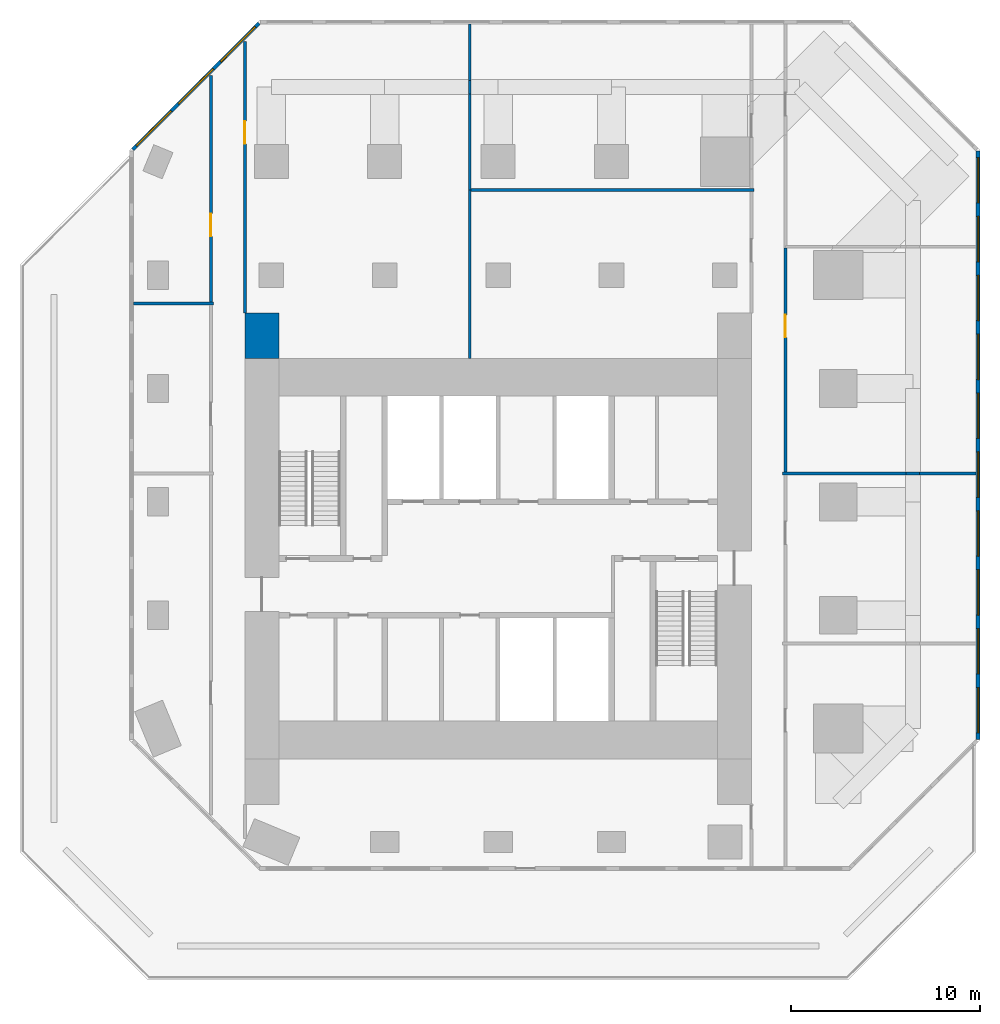
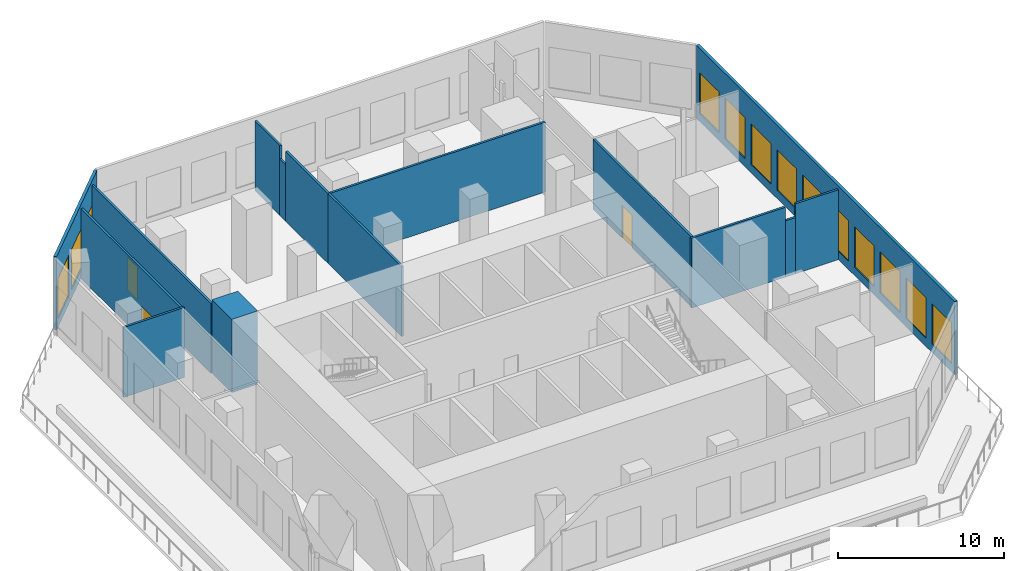
# One storey, part 4 of 7: 15 walls, 13 windows, 3 doors, 16 openings.
"""IFC4 building model written with IfcOpenShell, lengths in metres."""

from ifc_helpers import new_model, si_unit, direction, frame, frame_2d, origin, place, context, subcontext, project, spatial, rectangle, extrude, material, layer, layer_set, type_object, element, fill, save


model = new_model("IFC4")

# Units and contexts
model_context = context("Model", 3, precision=1e-05, world=origin(), true_north=direction((0.0, 1.0)))
body_context = subcontext(model_context, "Body", "Model", "MODEL_VIEW")
ifc_project = project(units=[si_unit("LENGTHUNIT", "METRE"), si_unit("AREAUNIT", "SQUARE_METRE"), si_unit("VOLUMEUNIT", "CUBIC_METRE"), si_unit("PLANEANGLEUNIT", "RADIAN"), si_unit("MASSUNIT", "GRAM", prefix="KILO")], contexts=[model_context])

# Site, building, storey
site_placement = place(None, origin())
site = spatial("IfcSite", under=ifc_project, at=site_placement, CompositionType="ELEMENT")
building_placement = place(site_placement, origin())
building = spatial("IfcBuilding", under=site, at=building_placement, Name="Highveld Stack Headquarters", CompositionType="ELEMENT")
storey_placement = place(building_placement, frame((0.0, 0.0, 164.0)))
storey = spatial("IfcBuildingStorey", under=building, at=storey_placement, Name="L40", CompositionType="ELEMENT", Elevation=164.0)

# Walls
ifc_material_1 = material(Name="Concrete C60/75", Category="concrete")
ifc_layer_1 = layer(ifc_material_1, 1.800048828125)
ifc_layer_set_1 = layer_set([ifc_layer_1], Name="Concrete C60/75")
wall_type_1 = type_object("IfcWallType", Name="CORE WING WALL 1800 C60/75", PredefinedType="SHEAR", material=ifc_layer_set_1)
wall_1_placement = place(storey_placement, frame((-6.5, 13.60009765625, 0.0), z_axis=(0.0, 0.0, 1.0), x_axis=(0.0, 1.0, 0.0)))
element("IfcWall", 1, at=wall_1_placement, inside=storey, type_object=wall_type_1, Name="Core wing wall WN L40", PredefinedType="SHEAR", context=body_context, shape_type="SweptSolid", body=[
    extrude(rectangle(XDim=2.39990234375, YDim=1.800048828125, at=frame_2d((1.199951171875, 0.0))), origin(), (0.0, 0.0, 1.0), 5.39990234375),
])
ifc_material_2 = material(Name="Concrete blockwork, plastered", Category="masonry")
ifc_layer_2 = layer(ifc_material_2, 0.14990234375)
ifc_layer_set_2 = layer_set([ifc_layer_2], Name="Concrete blockwork, plastered")
wall_type_2 = type_object("IfcWallType", Name="FIRE PARTITION 150 BLOCKWORK", PredefinedType="PARTITIONING", material=ifc_layer_set_2)
wall_2_placement = place(storey_placement, frame((-13.300048828125, 16.5, 0.0), z_axis=(0.0, 0.0, 1.0), x_axis=(1.0, 0.0, 0.0)))
element("IfcWall", 2, at=wall_2_placement, inside=storey, type_object=wall_type_2, Name="Partition office neighbourhood L40", PredefinedType="PARTITIONING", context=body_context, shape_type="SweptSolid", body=[
    extrude(rectangle(XDim=4.25, YDim=0.14990234375, at=frame_2d((2.125, 0.0))), origin(), (0.0, 0.0, 1.0), 5.14990234375),
])

# Wall, opening, door
wall_3_placement = place(storey_placement, frame((-9.199951171875, 16.574951171875, 0.0), z_axis=(0.0, 0.0, 1.0), x_axis=(0.0, 1.0, 0.0)))
wall_3 = element("IfcWall", 3, at=wall_3_placement, inside=storey, type_object=wall_type_2, Name="Partition office neighbourhood L40", PredefinedType="PARTITIONING", context=body_context, shape_type="SweptSolid", body=[
    extrude(rectangle(XDim=11.98095703125, YDim=0.14990234375, at=frame_2d((5.990478515625, 0.0))), origin(), (0.0, 0.0, 1.0), 5.14990234375),
])
opening_1_placement = place(wall_3_placement, frame((3.47509765625, 0.0, 0.0)))
opening_1 = element("IfcOpeningElement", 4, at=opening_1_placement, cuts=wall_3, Name="Opening L40-19", PredefinedType="OPENING", context=body_context, shape_type="SweptSolid", body=[
    extrude(rectangle(XDim=1.199951171875, YDim=2.39990234375, at=frame_2d((0.60009765625, 1.199951171875))), frame((0.0, 0.0849609375, 0.0), z_axis=(0.0, -1.0, 0.0), x_axis=(1.0, 0.0, 0.0)), (0.0, 0.0, 1.0), 0.169921875),
])
ifc_material_3 = material(Name="Steel fire door", Category="steel")
door_type = type_object("IfcDoorType", Name="PLANT FIRE DOOR D7 1200x2400", OperationType="SINGLE_SWING_LEFT", PredefinedType="DOOR", material=ifc_material_3)
door_1_placement = place(opening_1_placement, origin())
door_1 = element("IfcDoor", 5, at=door_1_placement, inside=storey, type_object=door_type, Name="Plant room door L40", OperationType="SINGLE_SWING_LEFT", OverallHeight=2.39990234375, OverallWidth=1.199951171875, PredefinedType="DOOR", context=body_context, shape_type="SweptSolid", body=[
    extrude(rectangle(XDim=1.199951171875, YDim=2.39990234375, at=frame_2d((0.60009765625, 1.199951171875))), frame((0.0, 0.02490234375, 0.0), z_axis=(0.0, -1.0, 0.0), x_axis=(1.0, 0.0, 0.0)), (0.0, 0.0, 1.0), 0.050048828125),
])
fill(opening_1, door_1)

wall_4_placement = place(storey_placement, frame((-7.39990234375, 16.0, 0.0), z_axis=(0.0, 0.0, 1.0), x_axis=(0.0, 1.0, 0.0)))
wall_4 = element("IfcWall", 6, at=wall_4_placement, inside=storey, type_object=wall_type_2, Name="Partition office neighbourhood L40", PredefinedType="PARTITIONING", context=body_context, shape_type="SweptSolid", body=[
    extrude(rectangle(XDim=14.35595703125, YDim=0.14990234375, at=frame_2d((7.177978515625, 0.0))), origin(), (0.0, 0.0, 1.0), 5.14990234375),
])
opening_2_placement = place(wall_4_placement, frame((8.949951171875, 0.0, 0.0)))
opening_2 = element("IfcOpeningElement", 7, at=opening_2_placement, cuts=wall_4, Name="Opening L40-22", PredefinedType="OPENING", context=body_context, shape_type="SweptSolid", body=[
    extrude(rectangle(XDim=1.199951171875, YDim=2.39990234375, at=frame_2d((0.60009765625, 1.199951171875))), frame((0.0, 0.0849609375, 0.0), z_axis=(0.0, -1.0, 0.0), x_axis=(1.0, 0.0, 0.0)), (0.0, 0.0, 1.0), 0.169921875),
])
door_2_placement = place(opening_2_placement, origin())
door_2 = element("IfcDoor", 8, at=door_2_placement, inside=storey, type_object=door_type, Name="Plant room door L40", OperationType="SINGLE_SWING_RIGHT", OverallHeight=2.39990234375, OverallWidth=1.199951171875, PredefinedType="DOOR", context=body_context, shape_type="SweptSolid", body=[
    extrude(rectangle(XDim=1.199951171875, YDim=2.39990234375, at=frame_2d((0.60009765625, 1.199951171875))), frame((0.0, 0.02490234375, 0.0), z_axis=(0.0, -1.0, 0.0), x_axis=(1.0, 0.0, 0.0)), (0.0, 0.0, 1.0), 0.050048828125),
])
fill(opening_2, door_2)

# Walls
wall_5_placement = place(storey_placement, frame((4.5, 13.60009765625, 0.0), z_axis=(0.0, 0.0, 1.0), x_axis=(0.0, 1.0, 0.0)))
element("IfcWall", 9, at=wall_5_placement, inside=storey, type_object=wall_type_2, Name="Partition office neighbourhood L40", PredefinedType="PARTITIONING", context=body_context, shape_type="SweptSolid", body=[
    extrude(rectangle(XDim=8.974853515625, YDim=0.14990234375, at=frame_2d((4.4873046875, 0.0))), origin(), (0.0, 0.0, 1.0), 5.14990234375),
])
wall_6_placement = place(storey_placement, frame((4.5, 22.5, 0.0), z_axis=(0.0, 0.0, 1.0), x_axis=(0.0, 1.0, 0.0)))
element("IfcWall", 10, at=wall_6_placement, inside=storey, type_object=wall_type_2, Name="Partition office neighbourhood L40", PredefinedType="PARTITIONING", context=body_context, shape_type="SweptSolid", body=[
    extrude(rectangle(XDim=5.090087890625, YDim=0.14990234375, at=frame_2d((2.544921875, 0.0))), origin(), (0.0, 0.0, 1.0), 5.14990234375),
])
wall_7_placement = place(storey_placement, frame((4.5, 27.590087890625, 0.0), z_axis=(0.0, 0.0, 1.0), x_axis=(0.0, 1.0, 0.0)))
element("IfcWall", 11, at=wall_7_placement, inside=storey, type_object=wall_type_2, Name="Partition office neighbourhood L40", PredefinedType="PARTITIONING", context=body_context, shape_type="SweptSolid", body=[
    extrude(rectangle(XDim=0.719970703125, YDim=0.14990234375, at=frame_2d((0.35986328125, 0.0))), origin(), (0.0, 0.0, 1.0), 4.14990234375),
])
wall_8_placement = place(storey_placement, frame((4.5, 28.31005859375, 0.0), z_axis=(0.0, 0.0, 1.0), x_axis=(0.0, 1.0, 0.0)))
element("IfcWall", 12, at=wall_8_placement, inside=storey, type_object=wall_type_2, Name="Partition office neighbourhood L40", PredefinedType="PARTITIONING", context=body_context, shape_type="SweptSolid", body=[
    extrude(rectangle(XDim=2.989990234375, YDim=0.14990234375, at=frame_2d((1.4951171875, 0.0))), origin(), (0.0, 0.0, 1.0), 5.14990234375),
])
wall_9_placement = place(storey_placement, frame((4.574951171875, 22.5, 0.0), z_axis=(0.0, 0.0, 1.0), x_axis=(1.0, 0.0, 0.0)))
element("IfcWall", 13, at=wall_9_placement, inside=storey, type_object=wall_type_2, Name="Partition office neighbourhood L40", PredefinedType="PARTITIONING", context=body_context, shape_type="SweptSolid", body=[
    extrude(rectangle(XDim=14.97509765625, YDim=0.14990234375, at=frame_2d((7.487548828125, 0.0))), origin(), (0.0, 0.0, 1.0), 5.14990234375),
])

# Wall, opening, door
wall_10_placement = place(storey_placement, frame((21.199951171875, 7.574951171875, 0.0), z_axis=(0.0, 0.0, 1.0), x_axis=(0.0, 1.0, 0.0)))
wall_10 = element("IfcWall", 14, at=wall_10_placement, inside=storey, type_object=wall_type_2, Name="Partition office neighbourhood L40", PredefinedType="PARTITIONING", context=body_context, shape_type="SweptSolid", body=[
    extrude(rectangle(XDim=11.85009765625, YDim=0.14990234375, at=frame_2d((5.925048828125, 0.0))), origin(), (0.0, 0.0, 1.0), 5.14990234375),
])
opening_3_placement = place(wall_10_placement, frame((7.125, 0.0, 0.0)))
opening_3 = element("IfcOpeningElement", 15, at=opening_3_placement, cuts=wall_10, Name="Opening L40-18", PredefinedType="OPENING", context=body_context, shape_type="SweptSolid", body=[
    extrude(rectangle(XDim=1.199951171875, YDim=2.39990234375, at=frame_2d((0.60009765625, 1.199951171875))), frame((0.0, 0.0849609375, 0.0), z_axis=(0.0, -1.0, 0.0), x_axis=(1.0, 0.0, 0.0)), (0.0, 0.0, 1.0), 0.169921875),
])
door_3_placement = place(opening_3_placement, origin())
door_3 = element("IfcDoor", 16, at=door_3_placement, inside=storey, type_object=door_type, Name="Plant room door L40", OperationType="SINGLE_SWING_RIGHT", OverallHeight=2.39990234375, OverallWidth=1.199951171875, PredefinedType="DOOR", context=body_context, shape_type="SweptSolid", body=[
    extrude(rectangle(XDim=1.199951171875, YDim=2.39990234375, at=frame_2d((0.60009765625, 1.199951171875))), frame((0.0, 0.02490234375, 0.0), z_axis=(0.0, -1.0, 0.0), x_axis=(1.0, 0.0, 0.0)), (0.0, 0.0, 1.0), 0.050048828125),
])
fill(opening_3, door_3)

# Walls
wall_11_placement = place(storey_placement, frame((21.050048828125, 7.5, 0.0), z_axis=(0.0, 0.0, 1.0), x_axis=(1.0, 0.0, 0.0)))
element("IfcWall", 17, at=wall_11_placement, inside=storey, type_object=wall_type_2, Name="Partition office neighbourhood L40", PredefinedType="PARTITIONING", context=body_context, shape_type="SweptSolid", body=[
    extrude(rectangle(XDim=6.5400390625, YDim=0.14990234375, at=frame_2d((3.27001953125, 0.0))), origin(), (0.0, 0.0, 1.0), 5.14990234375),
])
wall_12_placement = place(storey_placement, frame((27.590087890625, 7.5, 0.0), z_axis=(0.0, 0.0, 1.0), x_axis=(1.0, 0.0, 0.0)))
element("IfcWall", 18, at=wall_12_placement, inside=storey, type_object=wall_type_2, Name="Partition office neighbourhood L40", PredefinedType="PARTITIONING", context=body_context, shape_type="SweptSolid", body=[
    extrude(rectangle(XDim=0.719970703125, YDim=0.14990234375, at=frame_2d((0.35986328125, 0.0))), origin(), (0.0, 0.0, 1.0), 4.14990234375),
])
wall_13_placement = place(storey_placement, frame((28.31005859375, 7.5, 0.0), z_axis=(0.0, 0.0, 1.0), x_axis=(1.0, 0.0, 0.0)))
element("IfcWall", 19, at=wall_13_placement, inside=storey, type_object=wall_type_2, Name="Partition office neighbourhood L40", PredefinedType="PARTITIONING", context=body_context, shape_type="SweptSolid", body=[
    extrude(rectangle(XDim=2.989990234375, YDim=0.14990234375, at=frame_2d((1.4951171875, 0.0))), origin(), (0.0, 0.0, 1.0), 5.14990234375),
])

# Wall, openings, windows
ifc_material_4 = material(Name="Concrete C40/50, precast cladding", Category="concrete")
ifc_layer_3 = layer(ifc_material_4, 0.199951171875)
ifc_layer_set_3 = layer_set([ifc_layer_3], Name="Concrete C40/50, precast cladding")
wall_type_3 = type_object("IfcWallType", Name="PRECAST LOUVRE WALL 200", PredefinedType="USERDEFINED", material=ifc_layer_set_3)
wall_14_placement = place(storey_placement, frame((31.39990234375, -6.579833984375, 0.0), z_axis=(0.0, 0.0, 1.0), x_axis=(0.0, 1.0, 0.0)))
wall_14 = element("IfcWall", 20, at=wall_14_placement, inside=storey, type_object=wall_type_3, Name="Precast louvre wall L40 E", ObjectType="PRECAST CLADDING", PredefinedType="USERDEFINED", context=body_context, shape_type="SweptSolid", body=[
    extrude(rectangle(XDim=31.15966796875, YDim=0.199951171875, at=frame_2d((15.579833984375, 0.0))), origin(), (0.0, 0.0, 1.0), 5.39990234375),
])
opening_4_placement = place(wall_14_placement, frame((0.35791015625, 0.0, 0.60009765625)))
opening_4 = element("IfcOpeningElement", 21, at=opening_4_placement, cuts=wall_14, Name="Opening L1", PredefinedType="OPENING", context=body_context, shape_type="SweptSolid", body=[
    extrude(rectangle(XDim=2.39990234375, YDim=3.0, at=frame_2d((1.199951171875, 1.5))), frame((0.0, 0.10986328125, 0.0), z_axis=(0.0, -1.0, 0.0), x_axis=(1.0, 0.0, 0.0)), (0.0, 0.0, 1.0), 0.219970703125),
])
opening_5_placement = place(wall_14_placement, frame((3.47412109375, 0.0, 0.60009765625)))
opening_5 = element("IfcOpeningElement", 22, at=opening_5_placement, cuts=wall_14, Name="Opening L1", PredefinedType="OPENING", context=body_context, shape_type="SweptSolid", body=[
    extrude(rectangle(XDim=2.39990234375, YDim=3.0, at=frame_2d((1.199951171875, 1.5))), frame((0.0, 0.10986328125, 0.0), z_axis=(0.0, -1.0, 0.0), x_axis=(1.0, 0.0, 0.0)), (0.0, 0.0, 1.0), 0.219970703125),
])
opening_6_placement = place(wall_14_placement, frame((6.58984375, 0.0, 0.60009765625)))
opening_6 = element("IfcOpeningElement", 23, at=opening_6_placement, cuts=wall_14, Name="Opening L1", PredefinedType="OPENING", context=body_context, shape_type="SweptSolid", body=[
    extrude(rectangle(XDim=2.39990234375, YDim=3.0, at=frame_2d((1.199951171875, 1.5))), frame((0.0, 0.10986328125, 0.0), z_axis=(0.0, -1.0, 0.0), x_axis=(1.0, 0.0, 0.0)), (0.0, 0.0, 1.0), 0.219970703125),
])
opening_7_placement = place(wall_14_placement, frame((9.705810546875, 0.0, 0.60009765625)))
opening_7 = element("IfcOpeningElement", 24, at=opening_7_placement, cuts=wall_14, Name="Opening L1", PredefinedType="OPENING", context=body_context, shape_type="SweptSolid", body=[
    extrude(rectangle(XDim=2.39990234375, YDim=3.0, at=frame_2d((1.199951171875, 1.5))), frame((0.0, 0.10986328125, 0.0), z_axis=(0.0, -1.0, 0.0), x_axis=(1.0, 0.0, 0.0)), (0.0, 0.0, 1.0), 0.219970703125),
])
opening_8_placement = place(wall_14_placement, frame((12.822021484375, 0.0, 0.60009765625)))
opening_8 = element("IfcOpeningElement", 25, at=opening_8_placement, cuts=wall_14, Name="Opening L1", PredefinedType="OPENING", context=body_context, shape_type="SweptSolid", body=[
    extrude(rectangle(XDim=2.39990234375, YDim=3.0, at=frame_2d((1.199951171875, 1.5))), frame((0.0, 0.10986328125, 0.0), z_axis=(0.0, -1.0, 0.0), x_axis=(1.0, 0.0, 0.0)), (0.0, 0.0, 1.0), 0.219970703125),
])
opening_9_placement = place(wall_14_placement, frame((15.93798828125, 0.0, 0.60009765625)))
opening_9 = element("IfcOpeningElement", 26, at=opening_9_placement, cuts=wall_14, Name="Opening L1", PredefinedType="OPENING", context=body_context, shape_type="SweptSolid", body=[
    extrude(rectangle(XDim=2.39990234375, YDim=3.0, at=frame_2d((1.199951171875, 1.5))), frame((0.0, 0.10986328125, 0.0), z_axis=(0.0, -1.0, 0.0), x_axis=(1.0, 0.0, 0.0)), (0.0, 0.0, 1.0), 0.219970703125),
])
opening_10_placement = place(wall_14_placement, frame((19.053955078125, 0.0, 0.60009765625)))
opening_10 = element("IfcOpeningElement", 27, at=opening_10_placement, cuts=wall_14, Name="Opening L1", PredefinedType="OPENING", context=body_context, shape_type="SweptSolid", body=[
    extrude(rectangle(XDim=2.39990234375, YDim=3.0, at=frame_2d((1.199951171875, 1.5))), frame((0.0, 0.10986328125, 0.0), z_axis=(0.0, -1.0, 0.0), x_axis=(1.0, 0.0, 0.0)), (0.0, 0.0, 1.0), 0.219970703125),
])
opening_11_placement = place(wall_14_placement, frame((22.169921875, 0.0, 0.60009765625)))
opening_11 = element("IfcOpeningElement", 28, at=opening_11_placement, cuts=wall_14, Name="Opening L1", PredefinedType="OPENING", context=body_context, shape_type="SweptSolid", body=[
    extrude(rectangle(XDim=2.39990234375, YDim=3.0, at=frame_2d((1.199951171875, 1.5))), frame((0.0, 0.10986328125, 0.0), z_axis=(0.0, -1.0, 0.0), x_axis=(1.0, 0.0, 0.0)), (0.0, 0.0, 1.0), 0.219970703125),
])
opening_12_placement = place(wall_14_placement, frame((25.285888671875, 0.0, 0.60009765625)))
opening_12 = element("IfcOpeningElement", 29, at=opening_12_placement, cuts=wall_14, Name="Opening L1", PredefinedType="OPENING", context=body_context, shape_type="SweptSolid", body=[
    extrude(rectangle(XDim=2.39990234375, YDim=3.0, at=frame_2d((1.199951171875, 1.5))), frame((0.0, 0.10986328125, 0.0), z_axis=(0.0, -1.0, 0.0), x_axis=(1.0, 0.0, 0.0)), (0.0, 0.0, 1.0), 0.219970703125),
])
opening_13_placement = place(wall_14_placement, frame((28.40185546875, 0.0, 0.60009765625)))
opening_13 = element("IfcOpeningElement", 30, at=opening_13_placement, cuts=wall_14, Name="Opening L1", PredefinedType="OPENING", context=body_context, shape_type="SweptSolid", body=[
    extrude(rectangle(XDim=2.39990234375, YDim=3.0, at=frame_2d((1.199951171875, 1.5))), frame((0.0, 0.10986328125, 0.0), z_axis=(0.0, -1.0, 0.0), x_axis=(1.0, 0.0, 0.0)), (0.0, 0.0, 1.0), 0.219970703125),
])
ifc_material_5 = material(Name="Aluminium bronze anodised", Category="aluminium")
window_type_1 = type_object("IfcWindowType", Name="LOUVRE L1 2400x3000", PartitioningType="SINGLE_PANEL", PredefinedType="USERDEFINED", material=ifc_material_5)
window_1_placement = place(opening_4_placement, origin())
window_1 = element("IfcWindow", 31, at=window_1_placement, inside=storey, type_object=window_type_1, Name="Louvre L40 E 1", ObjectType="LOUVRE", OverallHeight=3.0, OverallWidth=2.39990234375, PartitioningType="SINGLE_PANEL", PredefinedType="USERDEFINED", context=body_context, shape_type="SweptSolid", body=[
    extrude(rectangle(XDim=2.39990234375, YDim=3.0, at=frame_2d((1.199951171875, 1.5))), frame((0.0, 0.030029296875, 0.0), z_axis=(0.0, -1.0, 0.0), x_axis=(1.0, 0.0, 0.0)), (0.0, 0.0, 1.0), 0.06005859375),
])
fill(opening_4, window_1)
window_2_placement = place(opening_5_placement, origin())
window_2 = element("IfcWindow", 32, at=window_2_placement, inside=storey, type_object=window_type_1, Name="Louvre L40 E 2", ObjectType="LOUVRE", OverallHeight=3.0, OverallWidth=2.39990234375, PartitioningType="SINGLE_PANEL", PredefinedType="USERDEFINED", context=body_context, shape_type="SweptSolid", body=[
    extrude(rectangle(XDim=2.39990234375, YDim=3.0, at=frame_2d((1.199951171875, 1.5))), frame((0.0, 0.030029296875, 0.0), z_axis=(0.0, -1.0, 0.0), x_axis=(1.0, 0.0, 0.0)), (0.0, 0.0, 1.0), 0.06005859375),
])
fill(opening_5, window_2)
window_3_placement = place(opening_6_placement, origin())
window_3 = element("IfcWindow", 33, at=window_3_placement, inside=storey, type_object=window_type_1, Name="Louvre L40 E 3", ObjectType="LOUVRE", OverallHeight=3.0, OverallWidth=2.39990234375, PartitioningType="SINGLE_PANEL", PredefinedType="USERDEFINED", context=body_context, shape_type="SweptSolid", body=[
    extrude(rectangle(XDim=2.39990234375, YDim=3.0, at=frame_2d((1.199951171875, 1.5))), frame((0.0, 0.030029296875, 0.0), z_axis=(0.0, -1.0, 0.0), x_axis=(1.0, 0.0, 0.0)), (0.0, 0.0, 1.0), 0.06005859375),
])
fill(opening_6, window_3)
window_4_placement = place(opening_7_placement, origin())
window_4 = element("IfcWindow", 34, at=window_4_placement, inside=storey, type_object=window_type_1, Name="Louvre L40 E 4", ObjectType="LOUVRE", OverallHeight=3.0, OverallWidth=2.39990234375, PartitioningType="SINGLE_PANEL", PredefinedType="USERDEFINED", context=body_context, shape_type="SweptSolid", body=[
    extrude(rectangle(XDim=2.39990234375, YDim=3.0, at=frame_2d((1.199951171875, 1.5))), frame((0.0, 0.030029296875, 0.0), z_axis=(0.0, -1.0, 0.0), x_axis=(1.0, 0.0, 0.0)), (0.0, 0.0, 1.0), 0.06005859375),
])
fill(opening_7, window_4)
window_5_placement = place(opening_8_placement, origin())
window_5 = element("IfcWindow", 35, at=window_5_placement, inside=storey, type_object=window_type_1, Name="Louvre L40 E 5", ObjectType="LOUVRE", OverallHeight=3.0, OverallWidth=2.39990234375, PartitioningType="SINGLE_PANEL", PredefinedType="USERDEFINED", context=body_context, shape_type="SweptSolid", body=[
    extrude(rectangle(XDim=2.39990234375, YDim=3.0, at=frame_2d((1.199951171875, 1.5))), frame((0.0, 0.030029296875, 0.0), z_axis=(0.0, -1.0, 0.0), x_axis=(1.0, 0.0, 0.0)), (0.0, 0.0, 1.0), 0.06005859375),
])
fill(opening_8, window_5)
window_6_placement = place(opening_9_placement, origin())
window_6 = element("IfcWindow", 36, at=window_6_placement, inside=storey, type_object=window_type_1, Name="Louvre L40 E 6", ObjectType="LOUVRE", OverallHeight=3.0, OverallWidth=2.39990234375, PartitioningType="SINGLE_PANEL", PredefinedType="USERDEFINED", context=body_context, shape_type="SweptSolid", body=[
    extrude(rectangle(XDim=2.39990234375, YDim=3.0, at=frame_2d((1.199951171875, 1.5))), frame((0.0, 0.030029296875, 0.0), z_axis=(0.0, -1.0, 0.0), x_axis=(1.0, 0.0, 0.0)), (0.0, 0.0, 1.0), 0.06005859375),
])
fill(opening_9, window_6)
window_7_placement = place(opening_10_placement, origin())
window_7 = element("IfcWindow", 37, at=window_7_placement, inside=storey, type_object=window_type_1, Name="Louvre L40 E 7", ObjectType="LOUVRE", OverallHeight=3.0, OverallWidth=2.39990234375, PartitioningType="SINGLE_PANEL", PredefinedType="USERDEFINED", context=body_context, shape_type="SweptSolid", body=[
    extrude(rectangle(XDim=2.39990234375, YDim=3.0, at=frame_2d((1.199951171875, 1.5))), frame((0.0, 0.030029296875, 0.0), z_axis=(0.0, -1.0, 0.0), x_axis=(1.0, 0.0, 0.0)), (0.0, 0.0, 1.0), 0.06005859375),
])
fill(opening_10, window_7)
window_8_placement = place(opening_11_placement, origin())
window_8 = element("IfcWindow", 38, at=window_8_placement, inside=storey, type_object=window_type_1, Name="Louvre L40 E 8", ObjectType="LOUVRE", OverallHeight=3.0, OverallWidth=2.39990234375, PartitioningType="SINGLE_PANEL", PredefinedType="USERDEFINED", context=body_context, shape_type="SweptSolid", body=[
    extrude(rectangle(XDim=2.39990234375, YDim=3.0, at=frame_2d((1.199951171875, 1.5))), frame((0.0, 0.030029296875, 0.0), z_axis=(0.0, -1.0, 0.0), x_axis=(1.0, 0.0, 0.0)), (0.0, 0.0, 1.0), 0.06005859375),
])
fill(opening_11, window_8)
window_9_placement = place(opening_12_placement, origin())
window_9 = element("IfcWindow", 39, at=window_9_placement, inside=storey, type_object=window_type_1, Name="Louvre L40 E 9", ObjectType="LOUVRE", OverallHeight=3.0, OverallWidth=2.39990234375, PartitioningType="SINGLE_PANEL", PredefinedType="USERDEFINED", context=body_context, shape_type="SweptSolid", body=[
    extrude(rectangle(XDim=2.39990234375, YDim=3.0, at=frame_2d((1.199951171875, 1.5))), frame((0.0, 0.030029296875, 0.0), z_axis=(0.0, -1.0, 0.0), x_axis=(1.0, 0.0, 0.0)), (0.0, 0.0, 1.0), 0.06005859375),
])
fill(opening_12, window_9)
window_10_placement = place(opening_13_placement, origin())
window_10 = element("IfcWindow", 40, at=window_10_placement, inside=storey, type_object=window_type_1, Name="Louvre L40 E 10", ObjectType="LOUVRE", OverallHeight=3.0, OverallWidth=2.39990234375, PartitioningType="SINGLE_PANEL", PredefinedType="USERDEFINED", context=body_context, shape_type="SweptSolid", body=[
    extrude(rectangle(XDim=2.39990234375, YDim=3.0, at=frame_2d((1.199951171875, 1.5))), frame((0.0, 0.030029296875, 0.0), z_axis=(0.0, -1.0, 0.0), x_axis=(1.0, 0.0, 0.0)), (0.0, 0.0, 1.0), 0.06005859375),
])
fill(opening_13, window_10)

wall_15_placement = place(storey_placement, frame((-6.650634765625, 31.329345703125, 0.0), z_axis=(0.0, 0.0, 1.0), x_axis=(-0.707106781187, -0.707106781187, 0.0)))
wall_15 = element("IfcWall", 41, at=wall_15_placement, inside=storey, type_object=wall_type_3, Name="Precast louvre wall L40 NW", ObjectType="PRECAST CLADDING", PredefinedType="USERDEFINED", context=body_context, shape_type="SweptSolid", body=[
    extrude(rectangle(XDim=9.445068359375, YDim=0.199951171875, at=frame_2d((4.72265625, 0.0))), origin(), (0.0, 0.0, 1.0), 5.39990234375),
])
opening_14_placement = place(wall_15_placement, frame((0.274169921875, 0.0, 0.60009765625)))
opening_14 = element("IfcOpeningElement", 42, at=opening_14_placement, cuts=wall_15, Name="Opening L2", PredefinedType="OPENING", context=body_context, shape_type="SweptSolid", body=[
    extrude(rectangle(XDim=2.60009765625, YDim=3.0, at=frame_2d((1.300048828125, 1.5))), frame((0.0, 0.10986328125, 0.0), z_axis=(0.0, -1.0, 0.0), x_axis=(1.0, 0.0, 0.0)), (0.0, 0.0, 1.0), 0.219970703125),
])
opening_15_placement = place(wall_15_placement, frame((3.422607421875, 0.0, 0.60009765625)))
opening_15 = element("IfcOpeningElement", 43, at=opening_15_placement, cuts=wall_15, Name="Opening L2", PredefinedType="OPENING", context=body_context, shape_type="SweptSolid", body=[
    extrude(rectangle(XDim=2.60009765625, YDim=3.0, at=frame_2d((1.300048828125, 1.5))), frame((0.0, 0.10986328125, 0.0), z_axis=(0.0, -1.0, 0.0), x_axis=(1.0, 0.0, 0.0)), (0.0, 0.0, 1.0), 0.219970703125),
])
opening_16_placement = place(wall_15_placement, frame((6.57080078125, 0.0, 0.60009765625)))
opening_16 = element("IfcOpeningElement", 44, at=opening_16_placement, cuts=wall_15, Name="Opening L2", PredefinedType="OPENING", context=body_context, shape_type="SweptSolid", body=[
    extrude(rectangle(XDim=2.60009765625, YDim=3.0, at=frame_2d((1.300048828125, 1.5))), frame((0.0, 0.10986328125, 0.0), z_axis=(0.0, -1.0, 0.0), x_axis=(1.0, 0.0, 0.0)), (0.0, 0.0, 1.0), 0.219970703125),
])
ifc_material_6 = material(Name="Aluminium bronze anodised", Category="aluminium")
window_type_2 = type_object("IfcWindowType", Name="LOUVRE L2 2400x3000 CHAMFER", PartitioningType="SINGLE_PANEL", PredefinedType="USERDEFINED", material=ifc_material_6)
window_11_placement = place(opening_14_placement, origin())
window_11 = element("IfcWindow", 45, at=window_11_placement, inside=storey, type_object=window_type_2, Name="Louvre L40 NW 1", ObjectType="LOUVRE", OverallHeight=3.0, OverallWidth=2.60009765625, PartitioningType="SINGLE_PANEL", PredefinedType="USERDEFINED", context=body_context, shape_type="SweptSolid", body=[
    extrude(rectangle(XDim=2.60009765625, YDim=3.0, at=frame_2d((1.300048828125, 1.5))), frame((0.0, 0.030029296875, 0.0), z_axis=(0.0, -1.0, 0.0), x_axis=(1.0, 0.0, 0.0)), (0.0, 0.0, 1.0), 0.06005859375),
])
fill(opening_14, window_11)
window_12_placement = place(opening_15_placement, origin())
window_12 = element("IfcWindow", 46, at=window_12_placement, inside=storey, type_object=window_type_2, Name="Louvre L40 NW 2", ObjectType="LOUVRE", OverallHeight=3.0, OverallWidth=2.60009765625, PartitioningType="SINGLE_PANEL", PredefinedType="USERDEFINED", context=body_context, shape_type="SweptSolid", body=[
    extrude(rectangle(XDim=2.60009765625, YDim=3.0, at=frame_2d((1.300048828125, 1.5))), frame((0.0, 0.030029296875, 0.0), z_axis=(0.0, -1.0, 0.0), x_axis=(1.0, 0.0, 0.0)), (0.0, 0.0, 1.0), 0.06005859375),
])
fill(opening_15, window_12)
window_13_placement = place(opening_16_placement, origin())
window_13 = element("IfcWindow", 47, at=window_13_placement, inside=storey, type_object=window_type_2, Name="Louvre L40 NW 3", ObjectType="LOUVRE", OverallHeight=3.0, OverallWidth=2.60009765625, PartitioningType="SINGLE_PANEL", PredefinedType="USERDEFINED", context=body_context, shape_type="SweptSolid", body=[
    extrude(rectangle(XDim=2.60009765625, YDim=3.0, at=frame_2d((1.300048828125, 1.5))), frame((0.0, 0.030029296875, 0.0), z_axis=(0.0, -1.0, 0.0), x_axis=(1.0, 0.0, 0.0)), (0.0, 0.0, 1.0), 0.06005859375),
])
fill(opening_16, window_13)

save(model, "model.ifc")
